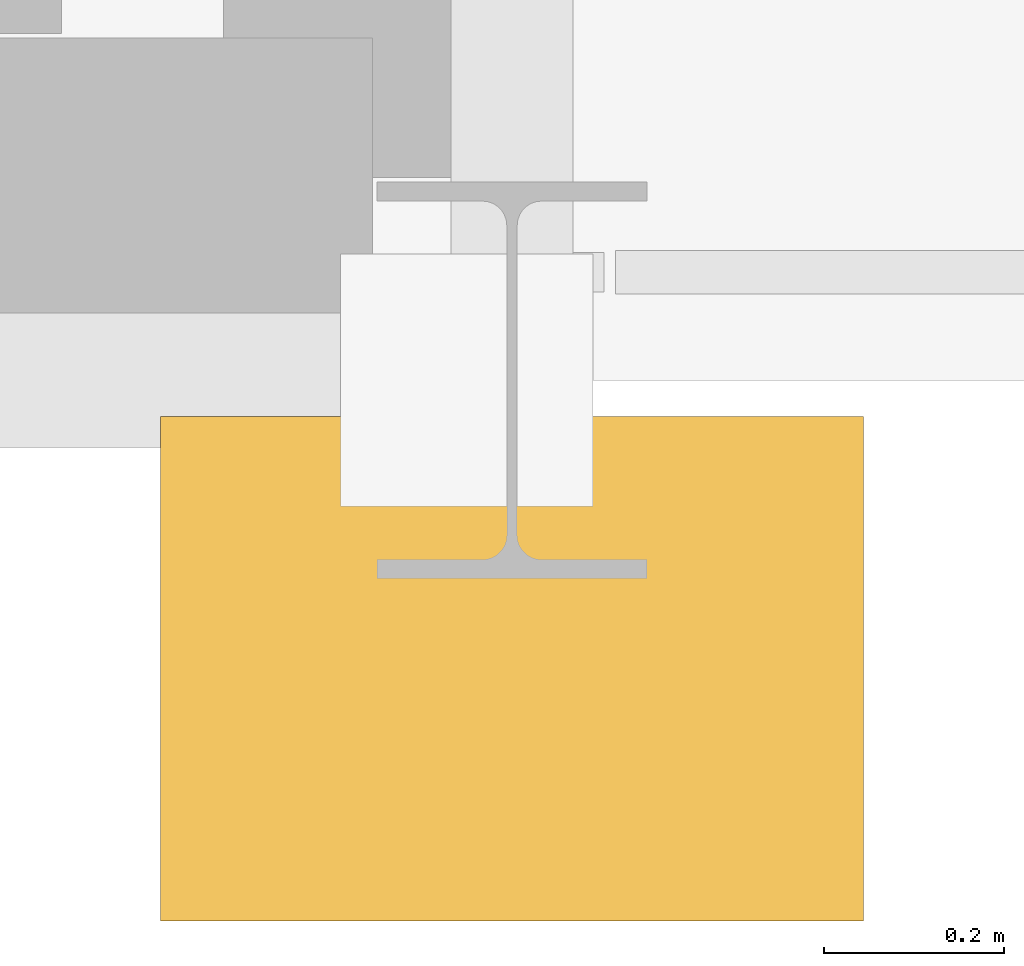
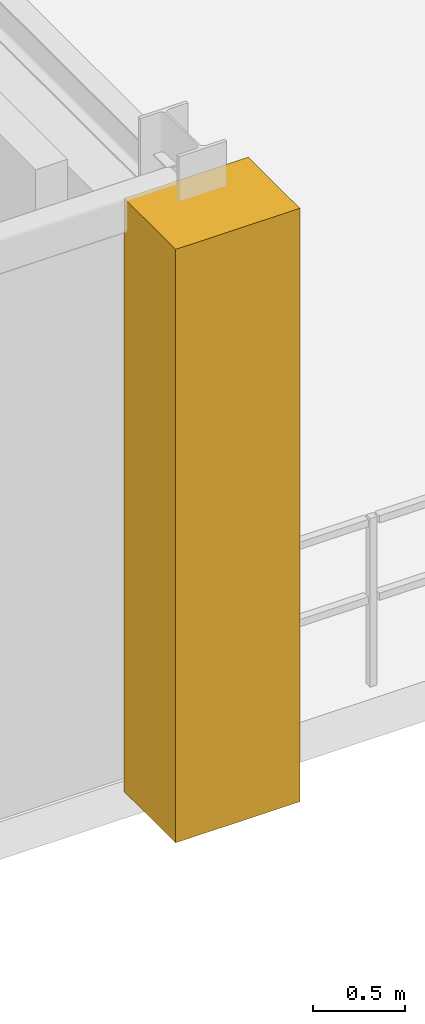
# One storey, part 77 of 81: 1 covering.
"""IFC4 building model written with IfcOpenShell, lengths in metres."""

from ifc_helpers import new_model, si_unit, direction, frame, origin, origin_2d, place, context, subcontext, project, spatial, rectangle, extrude, material, layer, layer_set, type_object, element, save


model = new_model("IFC4")

# Units and contexts
model_context = context("Model", 3, precision=1e-05, world=origin(), true_north=direction((0.0, 1.0)))
body_context = subcontext(model_context, "Body", "Model", "MODEL_VIEW")
ifc_project = project(units=[si_unit("LENGTHUNIT", "METRE"), si_unit("AREAUNIT", "SQUARE_METRE"), si_unit("VOLUMEUNIT", "CUBIC_METRE"), si_unit("PLANEANGLEUNIT", "RADIAN"), si_unit("MASSUNIT", "GRAM", prefix="KILO")], contexts=[model_context])

# Site, building, storey
site_placement = place(None, origin())
site = spatial("IfcSite", under=ifc_project, at=site_placement, CompositionType="ELEMENT")
building_placement = place(site_placement, origin())
building = spatial("IfcBuilding", under=site, at=building_placement, Name="Myrtia Square Station", CompositionType="ELEMENT")
storey_placement = place(building_placement, frame((0.0, 0.0, 10.800048828125)))
storey = spatial("IfcBuildingStorey", under=building, at=storey_placement, Name="L02", CompositionType="ELEMENT", Elevation=10.800048828125)

# Covering
ifc_material = material(Name="Pentelic marble ashlar", Category="masonry")
ifc_layer = layer(ifc_material, 0.4599609375, Name="Pentelic marble ashlar")
ifc_layer_set = layer_set([ifc_layer], Name="Pentelic marble ashlar")
covering_type = type_object("IfcCoveringType", Name="COV-ARCH-ASHLAR", PredefinedType="CLADDING", material=ifc_layer_set)
covering_placement = place(storey_placement, frame((162.0, -0.320068359375, -0.0400390625), z_axis=(0.0, 0.0, 1.0), x_axis=(1.0, 0.0, 0.0)))
element("IfcCovering", 1, at=covering_placement, inside=storey, type_object=covering_type, Name="Classical Pentelic ashlar pilaster 044", PredefinedType="CLADDING", context=body_context, shape_type="SweptSolid", body=[
    extrude(rectangle(XDim=0.780029296875, YDim=0.56005859375, at=origin_2d()), origin(), (0.0, 0.0, 1.0), 3.93994140625),
])

save(model, "model.ifc")
